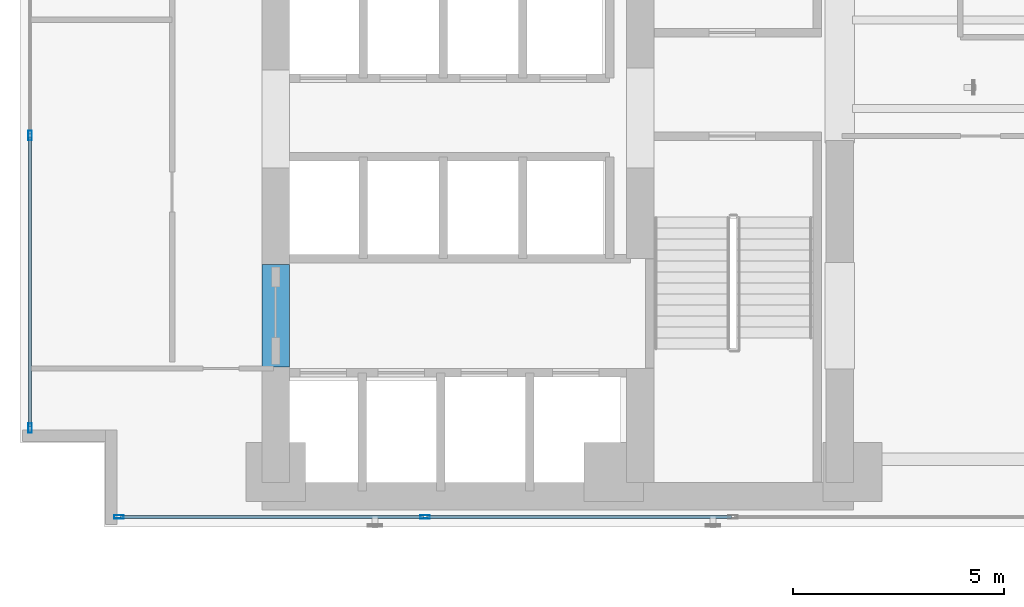
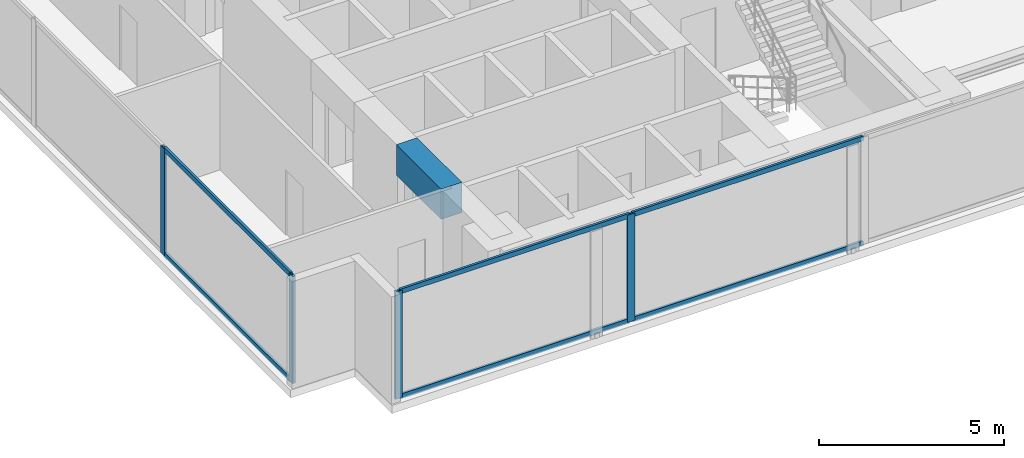
# One storey, part 2 of 28: 10 members, 1 beam, 2 elements without a shape of their own.
"""IFC4 building model written with IfcOpenShell, lengths in metres."""

from ifc_helpers import new_model, si_unit, direction, frame, origin, origin_with_axes, origin_2d, place, context, subcontext, project, spatial, rectangle, hollow_rectangle, extrude, source, transform, mapped, material, layer, layer_set, material_profile, profile_set, type_object, element, aggregate, save


model = new_model("IFC4")

# Units and contexts
model_context = context("Model", 3, precision=1e-05, world=origin(), true_north=direction((0.0, 1.0)))
body_context = subcontext(model_context, "Body", "Model", "MODEL_VIEW")
ifc_project = project(units=[si_unit("LENGTHUNIT", "METRE"), si_unit("AREAUNIT", "SQUARE_METRE"), si_unit("VOLUMEUNIT", "CUBIC_METRE"), si_unit("PLANEANGLEUNIT", "RADIAN"), si_unit("MASSUNIT", "GRAM", prefix="KILO")], contexts=[model_context])

# Site, building, storey
site_placement = place(None, origin())
site = spatial("IfcSite", under=ifc_project, at=site_placement, CompositionType="ELEMENT")
building_placement = place(site_placement, origin())
building = spatial("IfcBuilding", under=site, at=building_placement, Name="Kolvaren Waterfront Exchange", CompositionType="ELEMENT")
storey_placement = place(building_placement, frame((0.0, 0.0, 114.5)))
storey = spatial("IfcBuildingStorey", under=building, at=storey_placement, Name="L29", CompositionType="ELEMENT", Elevation=114.5)

# Beam
ifc_material_1 = material(Name="Concrete C60/75", Category="concrete")
ifc_material_profile_1 = material_profile(ifc_material_1, rectangle(XDim=0.64990234375, YDim=1.0, at=origin_2d()), Name="RC-CB-1000x650")
ifc_profile_set_1 = profile_set([ifc_material_profile_1], Name="Concrete C60/75")
beam_type = type_object("IfcBeamType", Name="STR-CB-1000", PredefinedType="SPANDREL", material=ifc_profile_set_1)
beam_placement = place(storey_placement, frame((7.449951171875, 7.389892578125, 3.0400390625), z_axis=(0.0, 1.0, 0.0), x_axis=(-1.0, 0.0, 0.0)))
element("IfcBeam", 1, at=beam_placement, inside=storey, type_object=beam_type, Name="L29 core coupling beam 3", PredefinedType="SPANDREL", context=body_context, shape_type="SweptSolid", body=[
    extrude(rectangle(XDim=0.64990234375, YDim=1.0, at=origin_2d()), origin(), (0.0, 0.0, 1.0), 2.420166015625),
])

# Curtain wall, members
ifc_material_2 = material(Name="Anodised bronze aluminium 6063-T6", Category="aluminium")
ifc_layer_1 = layer(ifc_material_2, 0.219970703125, Name="Anodised bronze aluminium 6063-T6")
ifc_layer_set_1 = layer_set([ifc_layer_1], Name="Anodised bronze aluminium 6063-T6")
curtain_wall_type_1 = type_object("IfcCurtainWallType", Name="ARC-CW-SYS1", PredefinedType="USERDEFINED", material=ifc_layer_set_1)
curtain_wall_1_placement = place(storey_placement, origin())
curtain_wall_1 = element("IfcCurtainWall", 2, at=curtain_wall_1_placement, inside=storey, type_object=curtain_wall_type_1, Name="L29 stick curtain wall CW1 (CW-L29-S)", ObjectType="STICK CURTAIN WALL", PredefinedType="USERDEFINED")
ifc_material_3 = material(Name="Anodised aluminium 6063-T6", Category="aluminium")
ifc_material_profile_2 = material_profile(ifc_material_3, hollow_rectangle(XDim=0.080078125, YDim=0.219970703125, WallThickness=0.0048828125, at=origin_2d()), Name="ALU-MUL-220x80x5")
ifc_profile_set_2 = profile_set([ifc_material_profile_2], Name="Anodised aluminium 6063-T6")
member_type_1 = type_object("IfcMemberType", Name="ARC-CWM-220", PredefinedType="MULLION", material=ifc_profile_set_2)
shared_shape_1 = source(origin_with_axes(), body_context, "Body", "SweptSolid", [
    extrude(hollow_rectangle(XDim=0.080078125, YDim=0.219970703125, WallThickness=0.0048828125, at=origin_2d()), origin(), (0.0, 0.0, 1.0), 3.5400390625),
])
member_1_placement = place(storey_placement, frame((3.739990234375, 3.840087890625, 0.0), z_axis=(0.0, 0.0, 1.0), x_axis=(0.0, 1.0, 0.0)))
member_1 = element("IfcMember", 3, at=member_1_placement, type_object=member_type_1, Name="CW1 mullion 1", PredefinedType="MULLION", context=body_context, shape_type="MappedRepresentation", body=[
    mapped(shared_shape_1, transform((0.0, 0.0, 0.0), x_axis=(1.0, 0.0, 0.0), y_axis=(0.0, 1.0, 0.0), z_axis=(0.0, 0.0, 1.0), scale=1.0)),
])
member_2_placement = place(storey_placement, frame((10.985595703125, 3.840087890625, 0.0), z_axis=(0.0, 0.0, 1.0), x_axis=(0.0, 1.0, 0.0)))
member_2 = element("IfcMember", 4, at=member_2_placement, type_object=member_type_1, Name="CW1 mullion 2", PredefinedType="MULLION", context=body_context, shape_type="MappedRepresentation", body=[
    mapped(shared_shape_1, transform((0.0, 0.0, 0.0), x_axis=(1.0, 0.0, 0.0), y_axis=(0.0, 1.0, 0.0), z_axis=(0.0, 0.0, 1.0), scale=1.0)),
])

ifc_layer_2 = layer(ifc_material_3, 0.219970703125, Name="Anodised aluminium 6063-T6")
ifc_layer_set_2 = layer_set([ifc_layer_2], Name="Anodised aluminium 6063-T6")
curtain_wall_type_2 = type_object("IfcCurtainWallType", Name="ARC-CW-SYS2", PredefinedType="USERDEFINED", material=ifc_layer_set_2)
curtain_wall_2_placement = place(storey_placement, origin())
curtain_wall_2 = element("IfcCurtainWall", 5, at=curtain_wall_2_placement, inside=storey, type_object=curtain_wall_type_2, Name="L29 stick curtain wall CW2 (CW-L29-W)", ObjectType="STICK CURTAIN WALL", PredefinedType="USERDEFINED")
member_3_placement = place(storey_placement, frame((1.639892578125, 5.93994140625, 0.0), z_axis=(0.0, 0.0, 1.0), x_axis=(-1.0, 0.0, 0.0)))
member_3 = element("IfcMember", 6, at=member_3_placement, type_object=member_type_1, Name="CW2 mullion 1", PredefinedType="MULLION", context=body_context, shape_type="MappedRepresentation", body=[
    mapped(shared_shape_1, transform((0.0, 0.0, 0.0), x_axis=(1.0, 0.0, 0.0), y_axis=(0.0, 1.0, 0.0), z_axis=(0.0, 0.0, 1.0), scale=1.0)),
])
member_4_placement = place(storey_placement, frame((1.639892578125, 12.86669921875, 0.0), z_axis=(0.0, 0.0, 1.0), x_axis=(-1.0, 0.0, 0.0)))
member_4 = element("IfcMember", 7, at=member_4_placement, type_object=member_type_1, Name="CW2 mullion 2", PredefinedType="MULLION", context=body_context, shape_type="MappedRepresentation", body=[
    mapped(shared_shape_1, transform((0.0, 0.0, 0.0), x_axis=(1.0, 0.0, 0.0), y_axis=(0.0, 1.0, 0.0), z_axis=(0.0, 0.0, 1.0), scale=1.0)),
])
ifc_material_profile_3 = material_profile(ifc_material_3, hollow_rectangle(XDim=0.074951171875, YDim=0.159912109375, WallThickness=0.00439453125, at=origin_2d()), Name="ALU-TRN-160x75x4.5")
ifc_profile_set_3 = profile_set([ifc_material_profile_3], Name="Anodised aluminium 6063-T6")
member_type_2 = type_object("IfcMemberType", Name="ARC-CWT-160", PredefinedType="USERDEFINED", material=ifc_profile_set_3)
shared_shape_2 = source(origin_with_axes(), body_context, "Body", "SweptSolid", [
    extrude(hollow_rectangle(XDim=0.074951171875, YDim=0.159912109375, WallThickness=0.00439453125, at=origin_2d()), origin(), (0.0, 0.0, 1.0), 6.8466796875),
])
member_5_placement = place(storey_placement, frame((1.639892578125, 5.97998046875, 0.03759765625), z_axis=(0.0, 1.0, 0.0), x_axis=(-1.0, 0.0, 0.0)))
member_5 = element("IfcMember", 8, at=member_5_placement, type_object=member_type_2, Name="CW2 transom 1.1", ObjectType="TRANSOM", PredefinedType="USERDEFINED", context=body_context, shape_type="MappedRepresentation", body=[
    mapped(shared_shape_2, transform((0.0, 0.0, 0.0), x_axis=(1.0, 0.0, 0.0), y_axis=(0.0, 1.0, 0.0), z_axis=(0.0, 0.0, 1.0), scale=1.0)),
])
member_6_placement = place(storey_placement, frame((1.639892578125, 5.97998046875, 3.50244140625), z_axis=(0.0, 1.0, 0.0), x_axis=(-1.0, 0.0, 0.0)))
member_6 = element("IfcMember", 9, at=member_6_placement, type_object=member_type_2, Name="CW2 transom 1.2", ObjectType="TRANSOM", PredefinedType="USERDEFINED", context=body_context, shape_type="MappedRepresentation", body=[
    mapped(shared_shape_2, transform((0.0, 0.0, 0.0), x_axis=(1.0, 0.0, 0.0), y_axis=(0.0, 1.0, 0.0), z_axis=(0.0, 0.0, 1.0), scale=1.0)),
])
aggregate(curtain_wall_2, [member_3, member_4, member_5, member_6])

# Member
shared_shape_3 = source(origin_with_axes(), body_context, "Body", "SweptSolid", [
    extrude(hollow_rectangle(XDim=0.074951171875, YDim=0.159912109375, WallThickness=0.00439453125, at=origin_2d()), origin(), (0.0, 0.0, 1.0), 7.165771484375),
])
member_7_placement = place(storey_placement, frame((3.780029296875, 3.840087890625, 0.03759765625), z_axis=(1.0, 0.0, 0.0), x_axis=(0.0, 1.0, 0.0)))
member_7 = element("IfcMember", 10, at=member_7_placement, type_object=member_type_2, Name="CW1 transom 1.1", ObjectType="TRANSOM", PredefinedType="USERDEFINED", context=body_context, shape_type="MappedRepresentation", body=[
    mapped(shared_shape_3, transform((0.0, 0.0, 0.0), x_axis=(1.0, 0.0, 0.0), y_axis=(0.0, 1.0, 0.0), z_axis=(0.0, 0.0, 1.0), scale=1.0)),
])

member_8_placement = place(storey_placement, frame((3.780029296875, 3.840087890625, 3.50244140625), z_axis=(1.0, 0.0, 0.0), x_axis=(0.0, 1.0, 0.0)))
member_8 = element("IfcMember", 11, at=member_8_placement, type_object=member_type_2, Name="CW1 transom 1.2", ObjectType="TRANSOM", PredefinedType="USERDEFINED", context=body_context, shape_type="MappedRepresentation", body=[
    mapped(shared_shape_3, transform((0.0, 0.0, 0.0), x_axis=(1.0, 0.0, 0.0), y_axis=(0.0, 1.0, 0.0), z_axis=(0.0, 0.0, 1.0), scale=1.0)),
])

shared_shape_4 = source(origin_with_axes(), body_context, "Body", "SweptSolid", [
    extrude(hollow_rectangle(XDim=0.074951171875, YDim=0.159912109375, WallThickness=0.00439453125, at=origin_2d()), origin(), (0.0, 0.0, 1.0), 7.205810546875),
])
member_9_placement = place(storey_placement, frame((11.025634765625, 3.840087890625, 0.03759765625), z_axis=(1.0, 0.0, 0.0), x_axis=(0.0, 1.0, 0.0)))
member_9 = element("IfcMember", 12, at=member_9_placement, type_object=member_type_2, Name="CW1 transom 2.1", ObjectType="TRANSOM", PredefinedType="USERDEFINED", context=body_context, shape_type="MappedRepresentation", body=[
    mapped(shared_shape_4, transform((0.0, 0.0, 0.0), x_axis=(1.0, 0.0, 0.0), y_axis=(0.0, 1.0, 0.0), z_axis=(0.0, 0.0, 1.0), scale=1.0)),
])

member_10_placement = place(storey_placement, frame((11.025634765625, 3.840087890625, 3.50244140625), z_axis=(1.0, 0.0, 0.0), x_axis=(0.0, 1.0, 0.0)))
member_10 = element("IfcMember", 13, at=member_10_placement, type_object=member_type_2, Name="CW1 transom 2.2", ObjectType="TRANSOM", PredefinedType="USERDEFINED", context=body_context, shape_type="MappedRepresentation", body=[
    mapped(shared_shape_4, transform((0.0, 0.0, 0.0), x_axis=(1.0, 0.0, 0.0), y_axis=(0.0, 1.0, 0.0), z_axis=(0.0, 0.0, 1.0), scale=1.0)),
])

aggregate(curtain_wall_1, [member_1, member_2, member_7, member_8, member_9, member_10])

save(model, "model.ifc")
